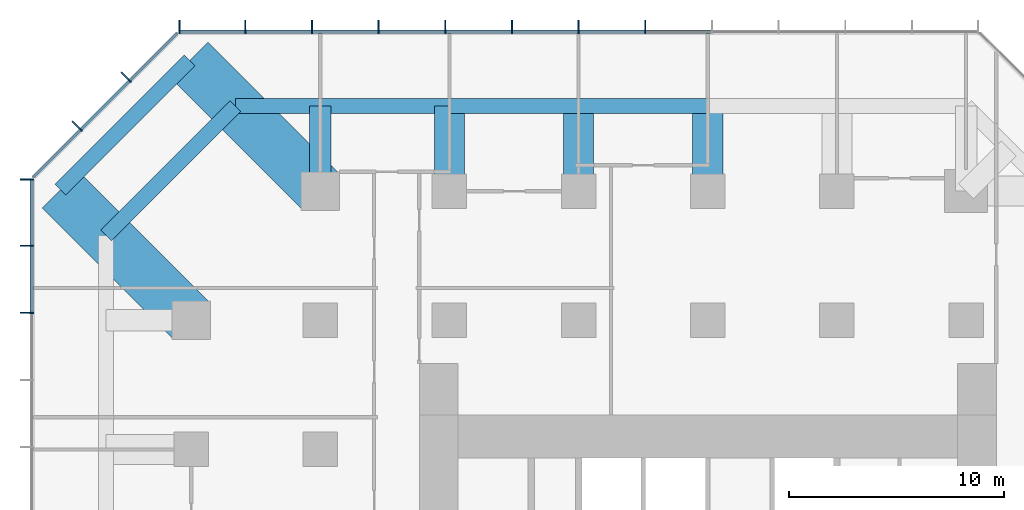
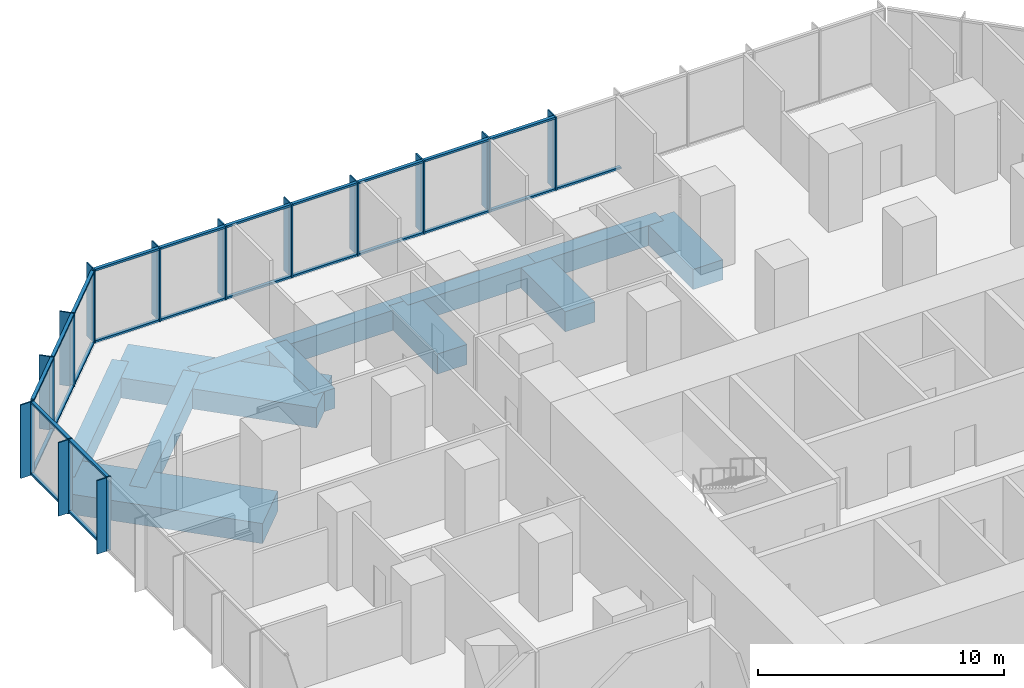
# One storey, part 5 of 11: 51 members, 11 beams, 3 elements without a shape of their own.
"""IFC4 building model written with IfcOpenShell, lengths in metres."""

from ifc_helpers import new_model, si_unit, direction, frame, origin, origin_2d, place, context, subcontext, project, spatial, rectangle, extrude, material, layer, layer_set, material_profile, profile_set, type_object, element, aggregate, save


model = new_model("IFC4")

# Units and contexts
model_context = context("Model", 3, precision=1e-05, world=origin(), true_north=direction((0.0, 1.0)))
body_context = subcontext(model_context, "Body", "Model", "MODEL_VIEW")
ifc_project = project(units=[si_unit("LENGTHUNIT", "METRE"), si_unit("AREAUNIT", "SQUARE_METRE"), si_unit("VOLUMEUNIT", "CUBIC_METRE"), si_unit("PLANEANGLEUNIT", "RADIAN"), si_unit("MASSUNIT", "GRAM", prefix="KILO")], contexts=[model_context])

# Site, building, storey
site_placement = place(None, origin())
site = spatial("IfcSite", under=ifc_project, at=site_placement, CompositionType="ELEMENT")
building_placement = place(site_placement, origin())
building = spatial("IfcBuilding", under=site, at=building_placement, Name="Highveld Stack Headquarters", CompositionType="ELEMENT")
storey_placement = place(building_placement, frame((0.0, 0.0, 113.300048828125)))
storey = spatial("IfcBuildingStorey", under=building, at=storey_placement, Name="L27", CompositionType="ELEMENT", Elevation=113.300048828125)

# Beams
ifc_material_1 = material(Name="Concrete C60/75", Category="concrete")
ifc_material_profile_1 = material_profile(ifc_material_1, rectangle(XDim=1.0, YDim=1.0, at=origin_2d()), Name="RC 1000x1000")
ifc_profile_set_1 = profile_set([ifc_material_profile_1], Name="Concrete C60/75")
beam_type_1 = type_object("IfcBeamType", Name="CANTILEVER RIB RC 1000x1000", PredefinedType="USERDEFINED", material=ifc_profile_set_1)
beam_1_placement = place(storey_placement, frame((-12.0, 24.0, -0.75), z_axis=(0.0, 1.0, 0.0), x_axis=(-1.0, 0.0, 0.0)))
element("IfcBeam", 1, at=beam_1_placement, inside=storey, type_object=beam_type_1, Name="Cantilever rib 4/J L27", ObjectType="CANTILEVER RIB", PredefinedType="USERDEFINED", context=body_context, shape_type="SweptSolid", body=[
    extrude(rectangle(XDim=1.0, YDim=1.0, at=origin_2d()), origin(), (0.0, 0.0, 1.0), 3.949951171875),
])
ifc_material_2 = material(Name="Concrete C60/75", Category="concrete")
ifc_material_profile_2 = material_profile(ifc_material_2, rectangle(XDim=1.39990234375, YDim=1.0, at=origin_2d()), Name="RC 1400x1000")
ifc_profile_set_2 = profile_set([ifc_material_profile_2], Name="Concrete C60/75")
beam_type_2 = type_object("IfcBeamType", Name="CANTILEVER RIB RC 1400x1000", PredefinedType="USERDEFINED", material=ifc_profile_set_2)
for number, where, z_axis, x_axis, name in (
    (2, (-6.0, 24.0, -0.75), (0.0, 1.0, 0.0), (-1.0, 0.0, 0.0), "Cantilever rib 5/J L27"),
    (3, (0.0, 24.0, -0.75), (0.0, 1.0, 0.0), (-1.0, 0.0, 0.0), "Cantilever rib 6/J L27"),
    (4, (6.0, 24.0, -0.75), (0.0, 1.0, 0.0), (-1.0, 0.0, 0.0), "Cantilever rib 7/J L27"),
):
    element("IfcBeam", number, at=place(storey_placement, frame(where, z_axis=z_axis, x_axis=x_axis)), inside=storey, type_object=beam_type_2, Name=name, ObjectType="CANTILEVER RIB", PredefinedType="USERDEFINED", context=body_context, shape_type="SweptSolid", body=[
        extrude(rectangle(XDim=1.39990234375, YDim=1.0, at=origin_2d()), origin(), (0.0, 0.0, 1.0), 3.949951171875),
    ])
ifc_material_3 = material(Name="Concrete C60/75", Category="concrete")
ifc_material_profile_3 = material_profile(ifc_material_3, rectangle(XDim=2.39990234375, YDim=1.0, at=origin_2d()), Name="RC 2400x1000")
ifc_profile_set_3 = profile_set([ifc_material_profile_3], Name="Concrete C60/75")
beam_type_3 = type_object("IfcBeamType", Name="CANTILEVER RIB RC 2400x1000", PredefinedType="USERDEFINED", material=ifc_profile_set_3)
for number, where, z_axis, x_axis, name in (
    (5, (-18.0, 18.0, -0.75), (-0.707106781187, 0.707106781187, 0.0), (-0.707106781187, -0.707106781187, 0.0), "Cantilever rib 3/H L27"),
    (6, (-12.0, 24.0, -0.75), (-0.707106781187, 0.707106781187, 0.0), (-0.707106781187, -0.707106781187, 0.0), "Cantilever rib 4/J L27"),
):
    element("IfcBeam", number, at=place(storey_placement, frame(where, z_axis=z_axis, x_axis=x_axis)), inside=storey, type_object=beam_type_3, Name=name, ObjectType="CANTILEVER RIB", PredefinedType="USERDEFINED", context=body_context, shape_type="SweptSolid", body=[
        extrude(rectangle(XDim=2.39990234375, YDim=1.0, at=origin_2d()), origin(), (0.0, 0.0, 1.0), 8.585693359375),
    ])

# Curtain wall, members
ifc_material_4 = material(Name="Aluminium bronze anodised", Category="aluminium")
ifc_layer_1 = layer(ifc_material_4, 0.199951171875)
ifc_layer_set_1 = layer_set([ifc_layer_1], Name="Aluminium bronze anodised")
curtain_wall_type_1 = type_object("IfcCurtainWallType", Name="CW1 TOWER UNITISED CURTAIN WALL", PredefinedType="NOTDEFINED", material=ifc_layer_set_1)
curtain_wall_1_placement = place(storey_placement, origin())
curtain_wall_1 = element("IfcCurtainWall", 7, at=curtain_wall_1_placement, inside=storey, type_object=curtain_wall_type_1, Name="Curtain wall CW1 L27 N", PredefinedType="NOTDEFINED")
ifc_material_5 = material(Name="Aluminium bronze anodised", Category="aluminium")
ifc_material_profile_4 = material_profile(ifc_material_5, rectangle(XDim=0.449951171875, YDim=0.06005859375, at=origin_2d()), Name="FIN 450x60")
ifc_profile_set_4 = profile_set([ifc_material_profile_4], Name="Aluminium bronze anodised")
member_type_1 = type_object("IfcMemberType", Name="CW1 BRONZE FIN 450x60", PredefinedType="USERDEFINED", material=ifc_profile_set_4)
member_1_placement = place(storey_placement, frame((3.0966796875, 31.72509765625, 0.0), z_axis=(0.0, 0.0, 1.0), x_axis=(0.0, -1.0, 0.0)))
member_1 = element("IfcMember", 8, at=member_1_placement, type_object=member_type_1, Name="CW1 fin L27 6", ObjectType="FIN", PredefinedType="USERDEFINED", context=body_context, shape_type="SweptSolid", body=[
    extrude(rectangle(XDim=0.449951171875, YDim=0.06005859375, at=origin_2d()), origin(), (0.0, 0.0, 1.0), 3.64990234375),
])
member_2_placement = place(storey_placement, frame((0.0, 31.72509765625, 0.0), z_axis=(0.0, 0.0, 1.0), x_axis=(0.0, -1.0, 0.0)))
member_2 = element("IfcMember", 9, at=member_2_placement, type_object=member_type_1, Name="CW1 fin L27 7", ObjectType="FIN", PredefinedType="USERDEFINED", context=body_context, shape_type="SweptSolid", body=[
    extrude(rectangle(XDim=0.449951171875, YDim=0.06005859375, at=origin_2d()), origin(), (0.0, 0.0, 1.0), 3.64990234375),
])
member_3_placement = place(storey_placement, frame((-3.0966796875, 31.72509765625, 0.0), z_axis=(0.0, 0.0, 1.0), x_axis=(0.0, -1.0, 0.0)))
member_3 = element("IfcMember", 10, at=member_3_placement, type_object=member_type_1, Name="CW1 fin L27 8", ObjectType="FIN", PredefinedType="USERDEFINED", context=body_context, shape_type="SweptSolid", body=[
    extrude(rectangle(XDim=0.449951171875, YDim=0.06005859375, at=origin_2d()), origin(), (0.0, 0.0, 1.0), 3.64990234375),
])
member_4_placement = place(storey_placement, frame((-6.193359375, 31.72509765625, 0.0), z_axis=(0.0, 0.0, 1.0), x_axis=(0.0, -1.0, 0.0)))
member_4 = element("IfcMember", 11, at=member_4_placement, type_object=member_type_1, Name="CW1 fin L27 9", ObjectType="FIN", PredefinedType="USERDEFINED", context=body_context, shape_type="SweptSolid", body=[
    extrude(rectangle(XDim=0.449951171875, YDim=0.06005859375, at=origin_2d()), origin(), (0.0, 0.0, 1.0), 3.64990234375),
])
member_5_placement = place(storey_placement, frame((-9.2900390625, 31.72509765625, 0.0), z_axis=(0.0, 0.0, 1.0), x_axis=(0.0, -1.0, 0.0)))
member_5 = element("IfcMember", 12, at=member_5_placement, type_object=member_type_1, Name="CW1 fin L27 10", ObjectType="FIN", PredefinedType="USERDEFINED", context=body_context, shape_type="SweptSolid", body=[
    extrude(rectangle(XDim=0.449951171875, YDim=0.06005859375, at=origin_2d()), origin(), (0.0, 0.0, 1.0), 3.64990234375),
])
member_6_placement = place(storey_placement, frame((-12.38671875, 31.72509765625, 0.0), z_axis=(0.0, 0.0, 1.0), x_axis=(0.0, -1.0, 0.0)))
member_6 = element("IfcMember", 13, at=member_6_placement, type_object=member_type_1, Name="CW1 fin L27 11", ObjectType="FIN", PredefinedType="USERDEFINED", context=body_context, shape_type="SweptSolid", body=[
    extrude(rectangle(XDim=0.449951171875, YDim=0.06005859375, at=origin_2d()), origin(), (0.0, 0.0, 1.0), 3.64990234375),
])
member_7_placement = place(storey_placement, frame((-15.4833984375, 31.72509765625, 0.0), z_axis=(0.0, 0.0, 1.0), x_axis=(0.0, -1.0, 0.0)))
member_7 = element("IfcMember", 14, at=member_7_placement, type_object=member_type_1, Name="CW1 fin L27 12", ObjectType="FIN", PredefinedType="USERDEFINED", context=body_context, shape_type="SweptSolid", body=[
    extrude(rectangle(XDim=0.449951171875, YDim=0.06005859375, at=origin_2d()), origin(), (0.0, 0.0, 1.0), 3.64990234375),
])
member_8_placement = place(storey_placement, frame((-18.54736328125, 31.72509765625, 0.0), z_axis=(0.0, 0.0, 1.0), x_axis=(0.0, -1.0, 0.0)))
member_8 = element("IfcMember", 15, at=member_8_placement, type_object=member_type_1, Name="CW1 fin L27 13", ObjectType="FIN", PredefinedType="USERDEFINED", context=body_context, shape_type="SweptSolid", body=[
    extrude(rectangle(XDim=0.449951171875, YDim=0.06005859375, at=origin_2d()), origin(), (0.0, 0.0, 1.0), 3.64990234375),
])

curtain_wall_2_placement = place(storey_placement, origin())
curtain_wall_2 = element("IfcCurtainWall", 16, at=curtain_wall_2_placement, inside=storey, type_object=curtain_wall_type_1, Name="Curtain wall CW1 L27 W", PredefinedType="NOTDEFINED")
member_9_placement = place(storey_placement, frame((-25.72509765625, 24.54736328125, 0.0), z_axis=(0.0, 0.0, 1.0), x_axis=(1.0, 0.0, 0.0)))
member_9 = element("IfcMember", 17, at=member_9_placement, type_object=member_type_1, Name="CW1 fin L27 1", ObjectType="FIN", PredefinedType="USERDEFINED", context=body_context, shape_type="SweptSolid", body=[
    extrude(rectangle(XDim=0.449951171875, YDim=0.06005859375, at=origin_2d()), origin(), (0.0, 0.0, 1.0), 3.64990234375),
])
member_10_placement = place(storey_placement, frame((-25.72509765625, 21.4638671875, 0.0), z_axis=(0.0, 0.0, 1.0), x_axis=(1.0, 0.0, 0.0)))
member_10 = element("IfcMember", 18, at=member_10_placement, type_object=member_type_1, Name="CW1 fin L27 2", ObjectType="FIN", PredefinedType="USERDEFINED", context=body_context, shape_type="SweptSolid", body=[
    extrude(rectangle(XDim=0.449951171875, YDim=0.06005859375, at=origin_2d()), origin(), (0.0, 0.0, 1.0), 3.64990234375),
])
member_11_placement = place(storey_placement, frame((-25.72509765625, 18.347900390625, 0.0), z_axis=(0.0, 0.0, 1.0), x_axis=(1.0, 0.0, 0.0)))
member_11 = element("IfcMember", 19, at=member_11_placement, type_object=member_type_1, Name="CW1 fin L27 3", ObjectType="FIN", PredefinedType="USERDEFINED", context=body_context, shape_type="SweptSolid", body=[
    extrude(rectangle(XDim=0.449951171875, YDim=0.06005859375, at=origin_2d()), origin(), (0.0, 0.0, 1.0), 3.64990234375),
])

# Member
ifc_material_6 = material(Name="Aluminium bronze anodised", Category="aluminium")
ifc_material_profile_5 = material_profile(ifc_material_6, rectangle(XDim=0.199951171875, YDim=0.06494140625, at=origin_2d()), Name="CW1 MULLION 65x200")
ifc_profile_set_5 = profile_set([ifc_material_profile_5], Name="Aluminium bronze anodised")
member_type_2 = type_object("IfcMemberType", Name="CW1 MULLION 65x200", PredefinedType="MULLION", material=ifc_profile_set_5)
member_12_placement = place(storey_placement, frame((3.0966796875, 31.39990234375, 0.0), z_axis=(0.0, 0.0, 1.0), x_axis=(0.0, -1.0, 0.0)))
member_12 = element("IfcMember", 20, at=member_12_placement, type_object=member_type_2, Name="CW1 mullion L27 6", PredefinedType="MULLION", context=body_context, shape_type="SweptSolid", body=[
    extrude(rectangle(XDim=0.199951171875, YDim=0.06494140625, at=origin_2d()), origin(), (0.0, 0.0, 1.0), 3.64990234375),
])

member_13_placement = place(storey_placement, frame((0.0, 31.39990234375, 0.0), z_axis=(0.0, 0.0, 1.0), x_axis=(0.0, -1.0, 0.0)))
member_13 = element("IfcMember", 21, at=member_13_placement, type_object=member_type_2, Name="CW1 mullion L27 7", PredefinedType="MULLION", context=body_context, shape_type="SweptSolid", body=[
    extrude(rectangle(XDim=0.199951171875, YDim=0.06494140625, at=origin_2d()), origin(), (0.0, 0.0, 1.0), 3.64990234375),
])

member_14_placement = place(storey_placement, frame((-3.0966796875, 31.39990234375, 0.0), z_axis=(0.0, 0.0, 1.0), x_axis=(0.0, -1.0, 0.0)))
member_14 = element("IfcMember", 22, at=member_14_placement, type_object=member_type_2, Name="CW1 mullion L27 8", PredefinedType="MULLION", context=body_context, shape_type="SweptSolid", body=[
    extrude(rectangle(XDim=0.199951171875, YDim=0.06494140625, at=origin_2d()), origin(), (0.0, 0.0, 1.0), 3.64990234375),
])

member_15_placement = place(storey_placement, frame((-6.193359375, 31.39990234375, 0.0), z_axis=(0.0, 0.0, 1.0), x_axis=(0.0, -1.0, 0.0)))
member_15 = element("IfcMember", 23, at=member_15_placement, type_object=member_type_2, Name="CW1 mullion L27 9", PredefinedType="MULLION", context=body_context, shape_type="SweptSolid", body=[
    extrude(rectangle(XDim=0.199951171875, YDim=0.06494140625, at=origin_2d()), origin(), (0.0, 0.0, 1.0), 3.64990234375),
])

member_16_placement = place(storey_placement, frame((-9.2900390625, 31.39990234375, 0.0), z_axis=(0.0, 0.0, 1.0), x_axis=(0.0, -1.0, 0.0)))
member_16 = element("IfcMember", 24, at=member_16_placement, type_object=member_type_2, Name="CW1 mullion L27 10", PredefinedType="MULLION", context=body_context, shape_type="SweptSolid", body=[
    extrude(rectangle(XDim=0.199951171875, YDim=0.06494140625, at=origin_2d()), origin(), (0.0, 0.0, 1.0), 3.64990234375),
])

member_17_placement = place(storey_placement, frame((-12.38671875, 31.39990234375, 0.0), z_axis=(0.0, 0.0, 1.0), x_axis=(0.0, -1.0, 0.0)))
member_17 = element("IfcMember", 25, at=member_17_placement, type_object=member_type_2, Name="CW1 mullion L27 11", PredefinedType="MULLION", context=body_context, shape_type="SweptSolid", body=[
    extrude(rectangle(XDim=0.199951171875, YDim=0.06494140625, at=origin_2d()), origin(), (0.0, 0.0, 1.0), 3.64990234375),
])

member_18_placement = place(storey_placement, frame((-15.4833984375, 31.39990234375, 0.0), z_axis=(0.0, 0.0, 1.0), x_axis=(0.0, -1.0, 0.0)))
member_18 = element("IfcMember", 26, at=member_18_placement, type_object=member_type_2, Name="CW1 mullion L27 12", PredefinedType="MULLION", context=body_context, shape_type="SweptSolid", body=[
    extrude(rectangle(XDim=0.199951171875, YDim=0.06494140625, at=origin_2d()), origin(), (0.0, 0.0, 1.0), 3.64990234375),
])

member_19_placement = place(storey_placement, frame((-18.54736328125, 31.39990234375, 0.0), z_axis=(0.0, 0.0, 1.0), x_axis=(0.0, -1.0, 0.0)))
member_19 = element("IfcMember", 27, at=member_19_placement, type_object=member_type_2, Name="CW1 mullion L27 13", PredefinedType="MULLION", context=body_context, shape_type="SweptSolid", body=[
    extrude(rectangle(XDim=0.199951171875, YDim=0.06494140625, at=origin_2d()), origin(), (0.0, 0.0, 1.0), 3.64990234375),
])

member_20_placement = place(storey_placement, frame((-25.39990234375, 24.54736328125, 0.0), z_axis=(0.0, 0.0, 1.0), x_axis=(1.0, 0.0, 0.0)))
member_20 = element("IfcMember", 28, at=member_20_placement, type_object=member_type_2, Name="CW1 mullion L27 1", PredefinedType="MULLION", context=body_context, shape_type="SweptSolid", body=[
    extrude(rectangle(XDim=0.199951171875, YDim=0.06494140625, at=origin_2d()), origin(), (0.0, 0.0, 1.0), 3.64990234375),
])

member_21_placement = place(storey_placement, frame((-25.39990234375, 21.4638671875, 0.0), z_axis=(0.0, 0.0, 1.0), x_axis=(1.0, 0.0, 0.0)))
member_21 = element("IfcMember", 29, at=member_21_placement, type_object=member_type_2, Name="CW1 mullion L27 2", PredefinedType="MULLION", context=body_context, shape_type="SweptSolid", body=[
    extrude(rectangle(XDim=0.199951171875, YDim=0.06494140625, at=origin_2d()), origin(), (0.0, 0.0, 1.0), 3.64990234375),
])

member_22_placement = place(storey_placement, frame((-25.39990234375, 18.347900390625, 0.0), z_axis=(0.0, 0.0, 1.0), x_axis=(1.0, 0.0, 0.0)))
member_22 = element("IfcMember", 30, at=member_22_placement, type_object=member_type_2, Name="CW1 mullion L27 3", PredefinedType="MULLION", context=body_context, shape_type="SweptSolid", body=[
    extrude(rectangle(XDim=0.199951171875, YDim=0.06494140625, at=origin_2d()), origin(), (0.0, 0.0, 1.0), 3.64990234375),
])

ifc_material_7 = material(Name="Aluminium bronze anodised", Category="aluminium")
ifc_material_profile_6 = material_profile(ifc_material_7, rectangle(XDim=0.14990234375, YDim=0.10009765625, at=origin_2d()), Name="CW1 TRANSOM 150x100")
ifc_profile_set_6 = profile_set([ifc_material_profile_6], Name="Aluminium bronze anodised")
member_type_3 = type_object("IfcMemberType", Name="CW1 STACK TRANSOM 150x100", PredefinedType="USERDEFINED", material=ifc_profile_set_6)
member_23_placement = place(storey_placement, frame((6.160888671875, 31.39990234375, 0.050048828125), z_axis=(-1.0, 0.0, 0.0), x_axis=(0.0, -1.0, 0.0)))
member_23 = element("IfcMember", 31, at=member_23_placement, type_object=member_type_3, Name="CW1 transom L27 5.1", ObjectType="TRANSOM", PredefinedType="USERDEFINED", context=body_context, shape_type="SweptSolid", body=[
    extrude(rectangle(XDim=0.14990234375, YDim=0.10009765625, at=origin_2d()), origin(), (0.0, 0.0, 1.0), 3.03173828125),
])

member_24_placement = place(storey_placement, frame((3.064208984375, 31.39990234375, 0.050048828125), z_axis=(-1.0, 0.0, 0.0), x_axis=(0.0, -1.0, 0.0)))
member_24 = element("IfcMember", 32, at=member_24_placement, type_object=member_type_3, Name="CW1 transom L27 6.1", ObjectType="TRANSOM", PredefinedType="USERDEFINED", context=body_context, shape_type="SweptSolid", body=[
    extrude(rectangle(XDim=0.14990234375, YDim=0.10009765625, at=origin_2d()), origin(), (0.0, 0.0, 1.0), 3.03173828125),
])

member_25_placement = place(storey_placement, frame((3.064208984375, 31.39990234375, 3.599853515625), z_axis=(-1.0, 0.0, 0.0), x_axis=(0.0, -1.0, 0.0)))
member_25 = element("IfcMember", 33, at=member_25_placement, type_object=member_type_3, Name="CW1 transom L27 6.2", ObjectType="TRANSOM", PredefinedType="USERDEFINED", context=body_context, shape_type="SweptSolid", body=[
    extrude(rectangle(XDim=0.14990234375, YDim=0.10009765625, at=origin_2d()), origin(), (0.0, 0.0, 1.0), 3.03173828125),
])

member_26_placement = place(storey_placement, frame((-0.032470703125, 31.39990234375, 0.050048828125), z_axis=(-1.0, 0.0, 0.0), x_axis=(0.0, -1.0, 0.0)))
member_26 = element("IfcMember", 34, at=member_26_placement, type_object=member_type_3, Name="CW1 transom L27 7.1", ObjectType="TRANSOM", PredefinedType="USERDEFINED", context=body_context, shape_type="SweptSolid", body=[
    extrude(rectangle(XDim=0.14990234375, YDim=0.10009765625, at=origin_2d()), origin(), (0.0, 0.0, 1.0), 3.03173828125),
])

member_27_placement = place(storey_placement, frame((-0.032470703125, 31.39990234375, 3.599853515625), z_axis=(-1.0, 0.0, 0.0), x_axis=(0.0, -1.0, 0.0)))
member_27 = element("IfcMember", 35, at=member_27_placement, type_object=member_type_3, Name="CW1 transom L27 7.2", ObjectType="TRANSOM", PredefinedType="USERDEFINED", context=body_context, shape_type="SweptSolid", body=[
    extrude(rectangle(XDim=0.14990234375, YDim=0.10009765625, at=origin_2d()), origin(), (0.0, 0.0, 1.0), 3.03173828125),
])

member_28_placement = place(storey_placement, frame((-3.129150390625, 31.39990234375, 0.050048828125), z_axis=(-1.0, 0.0, 0.0), x_axis=(0.0, -1.0, 0.0)))
member_28 = element("IfcMember", 36, at=member_28_placement, type_object=member_type_3, Name="CW1 transom L27 8.1", ObjectType="TRANSOM", PredefinedType="USERDEFINED", context=body_context, shape_type="SweptSolid", body=[
    extrude(rectangle(XDim=0.14990234375, YDim=0.10009765625, at=origin_2d()), origin(), (0.0, 0.0, 1.0), 3.03173828125),
])

member_29_placement = place(storey_placement, frame((-3.129150390625, 31.39990234375, 3.599853515625), z_axis=(-1.0, 0.0, 0.0), x_axis=(0.0, -1.0, 0.0)))
member_29 = element("IfcMember", 37, at=member_29_placement, type_object=member_type_3, Name="CW1 transom L27 8.2", ObjectType="TRANSOM", PredefinedType="USERDEFINED", context=body_context, shape_type="SweptSolid", body=[
    extrude(rectangle(XDim=0.14990234375, YDim=0.10009765625, at=origin_2d()), origin(), (0.0, 0.0, 1.0), 3.03173828125),
])

member_30_placement = place(storey_placement, frame((-6.225830078125, 31.39990234375, 0.050048828125), z_axis=(-1.0, 0.0, 0.0), x_axis=(0.0, -1.0, 0.0)))
member_30 = element("IfcMember", 38, at=member_30_placement, type_object=member_type_3, Name="CW1 transom L27 9.1", ObjectType="TRANSOM", PredefinedType="USERDEFINED", context=body_context, shape_type="SweptSolid", body=[
    extrude(rectangle(XDim=0.14990234375, YDim=0.10009765625, at=origin_2d()), origin(), (0.0, 0.0, 1.0), 3.03173828125),
])

member_31_placement = place(storey_placement, frame((-6.225830078125, 31.39990234375, 3.599853515625), z_axis=(-1.0, 0.0, 0.0), x_axis=(0.0, -1.0, 0.0)))
member_31 = element("IfcMember", 39, at=member_31_placement, type_object=member_type_3, Name="CW1 transom L27 9.2", ObjectType="TRANSOM", PredefinedType="USERDEFINED", context=body_context, shape_type="SweptSolid", body=[
    extrude(rectangle(XDim=0.14990234375, YDim=0.10009765625, at=origin_2d()), origin(), (0.0, 0.0, 1.0), 3.03173828125),
])

member_32_placement = place(storey_placement, frame((-9.322509765625, 31.39990234375, 0.050048828125), z_axis=(-1.0, 0.0, 0.0), x_axis=(0.0, -1.0, 0.0)))
member_32 = element("IfcMember", 40, at=member_32_placement, type_object=member_type_3, Name="CW1 transom L27 10.1", ObjectType="TRANSOM", PredefinedType="USERDEFINED", context=body_context, shape_type="SweptSolid", body=[
    extrude(rectangle(XDim=0.14990234375, YDim=0.10009765625, at=origin_2d()), origin(), (0.0, 0.0, 1.0), 3.031494140625),
])

member_33_placement = place(storey_placement, frame((-9.322509765625, 31.39990234375, 3.599853515625), z_axis=(-1.0, 0.0, 0.0), x_axis=(0.0, -1.0, 0.0)))
member_33 = element("IfcMember", 41, at=member_33_placement, type_object=member_type_3, Name="CW1 transom L27 10.2", ObjectType="TRANSOM", PredefinedType="USERDEFINED", context=body_context, shape_type="SweptSolid", body=[
    extrude(rectangle(XDim=0.14990234375, YDim=0.10009765625, at=origin_2d()), origin(), (0.0, 0.0, 1.0), 3.031494140625),
])

member_34_placement = place(storey_placement, frame((-12.419189453125, 31.39990234375, 0.050048828125), z_axis=(-1.0, 0.0, 0.0), x_axis=(0.0, -1.0, 0.0)))
member_34 = element("IfcMember", 42, at=member_34_placement, type_object=member_type_3, Name="CW1 transom L27 11.1", ObjectType="TRANSOM", PredefinedType="USERDEFINED", context=body_context, shape_type="SweptSolid", body=[
    extrude(rectangle(XDim=0.14990234375, YDim=0.10009765625, at=origin_2d()), origin(), (0.0, 0.0, 1.0), 3.031494140625),
])

member_35_placement = place(storey_placement, frame((-12.419189453125, 31.39990234375, 3.599853515625), z_axis=(-1.0, 0.0, 0.0), x_axis=(0.0, -1.0, 0.0)))
member_35 = element("IfcMember", 43, at=member_35_placement, type_object=member_type_3, Name="CW1 transom L27 11.2", ObjectType="TRANSOM", PredefinedType="USERDEFINED", context=body_context, shape_type="SweptSolid", body=[
    extrude(rectangle(XDim=0.14990234375, YDim=0.10009765625, at=origin_2d()), origin(), (0.0, 0.0, 1.0), 3.031494140625),
])

member_36_placement = place(storey_placement, frame((-15.515869140625, 31.39990234375, 0.050048828125), z_axis=(-1.0, 0.0, 0.0), x_axis=(0.0, -1.0, 0.0)))
member_36 = element("IfcMember", 44, at=member_36_placement, type_object=member_type_3, Name="CW1 transom L27 12.1", ObjectType="TRANSOM", PredefinedType="USERDEFINED", context=body_context, shape_type="SweptSolid", body=[
    extrude(rectangle(XDim=0.14990234375, YDim=0.10009765625, at=origin_2d()), origin(), (0.0, 0.0, 1.0), 2.9990234375),
])

member_37_placement = place(storey_placement, frame((-15.515869140625, 31.39990234375, 3.599853515625), z_axis=(-1.0, 0.0, 0.0), x_axis=(0.0, -1.0, 0.0)))
member_37 = element("IfcMember", 45, at=member_37_placement, type_object=member_type_3, Name="CW1 transom L27 12.2", ObjectType="TRANSOM", PredefinedType="USERDEFINED", context=body_context, shape_type="SweptSolid", body=[
    extrude(rectangle(XDim=0.14990234375, YDim=0.10009765625, at=origin_2d()), origin(), (0.0, 0.0, 1.0), 2.9990234375),
])

aggregate(curtain_wall_1, [member_12, member_1, member_13, member_2, member_14, member_3, member_15, member_4, member_16, member_5, member_17, member_6, member_18, member_7, member_19, member_8, member_23, member_24, member_25, member_26, member_27, member_28, member_29, member_30, member_31, member_32, member_33, member_34, member_35, member_36, member_37])

member_38_placement = place(storey_placement, frame((-25.39990234375, 24.514892578125, 0.050048828125), z_axis=(0.0, -1.0, 0.0), x_axis=(1.0, 0.0, 0.0)))
member_38 = element("IfcMember", 46, at=member_38_placement, type_object=member_type_3, Name="CW1 transom L27 1.1", ObjectType="TRANSOM", PredefinedType="USERDEFINED", context=body_context, shape_type="SweptSolid", body=[
    extrude(rectangle(XDim=0.14990234375, YDim=0.10009765625, at=origin_2d()), origin(), (0.0, 0.0, 1.0), 3.0185546875),
])

member_39_placement = place(storey_placement, frame((-25.39990234375, 24.514892578125, 3.599853515625), z_axis=(0.0, -1.0, 0.0), x_axis=(1.0, 0.0, 0.0)))
member_39 = element("IfcMember", 47, at=member_39_placement, type_object=member_type_3, Name="CW1 transom L27 1.2", ObjectType="TRANSOM", PredefinedType="USERDEFINED", context=body_context, shape_type="SweptSolid", body=[
    extrude(rectangle(XDim=0.14990234375, YDim=0.10009765625, at=origin_2d()), origin(), (0.0, 0.0, 1.0), 3.0185546875),
])

member_40_placement = place(storey_placement, frame((-25.39990234375, 21.431396484375, 0.050048828125), z_axis=(0.0, -1.0, 0.0), x_axis=(1.0, 0.0, 0.0)))
member_40 = element("IfcMember", 48, at=member_40_placement, type_object=member_type_3, Name="CW1 transom L27 2.1", ObjectType="TRANSOM", PredefinedType="USERDEFINED", context=body_context, shape_type="SweptSolid", body=[
    extrude(rectangle(XDim=0.14990234375, YDim=0.10009765625, at=origin_2d()), origin(), (0.0, 0.0, 1.0), 3.051025390625),
])

member_41_placement = place(storey_placement, frame((-25.39990234375, 21.431396484375, 3.599853515625), z_axis=(0.0, -1.0, 0.0), x_axis=(1.0, 0.0, 0.0)))
member_41 = element("IfcMember", 49, at=member_41_placement, type_object=member_type_3, Name="CW1 transom L27 2.2", ObjectType="TRANSOM", PredefinedType="USERDEFINED", context=body_context, shape_type="SweptSolid", body=[
    extrude(rectangle(XDim=0.14990234375, YDim=0.10009765625, at=origin_2d()), origin(), (0.0, 0.0, 1.0), 3.051025390625),
])

aggregate(curtain_wall_2, [member_20, member_9, member_21, member_10, member_22, member_11, member_38, member_39, member_40, member_41])

# Curtain wall, members
ifc_material_8 = material(Name="Aluminium bronze anodised", Category="aluminium")
ifc_layer_2 = layer(ifc_material_8, 0.199951171875)
ifc_layer_set_2 = layer_set([ifc_layer_2], Name="Aluminium bronze anodised")
curtain_wall_type_2 = type_object("IfcCurtainWallType", Name="CW2 TOWER CHAMFER UNITISED CURTAIN WALL", PredefinedType="NOTDEFINED", material=ifc_layer_set_2)
curtain_wall_3_placement = place(storey_placement, origin())
curtain_wall_3 = element("IfcCurtainWall", 50, at=curtain_wall_3_placement, inside=storey, type_object=curtain_wall_type_2, Name="Curtain wall CW2 L27 NW", PredefinedType="NOTDEFINED")
ifc_material_9 = material(Name="Aluminium bronze anodised", Category="aluminium")
ifc_material_profile_7 = material_profile(ifc_material_9, rectangle(XDim=0.449951171875, YDim=0.06005859375, at=origin_2d()), Name="FIN 450x60")
ifc_profile_set_7 = profile_set([ifc_material_profile_7], Name="Aluminium bronze anodised")
member_type_4 = type_object("IfcMemberType", Name="CW2 BRONZE FIN 450x60", PredefinedType="USERDEFINED", material=ifc_profile_set_7)
member_42_placement = place(storey_placement, frame((-21.0830078125, 29.3564453125, 0.0), z_axis=(0.0, 0.0, 1.0), x_axis=(0.707106781187, -0.707106781187, 0.0)))
member_42 = element("IfcMember", 51, at=member_42_placement, type_object=member_type_4, Name="CW2 fin L27 1", ObjectType="FIN", PredefinedType="USERDEFINED", context=body_context, shape_type="SweptSolid", body=[
    extrude(rectangle(XDim=0.449951171875, YDim=0.06005859375, at=origin_2d()), origin(), (0.0, 0.0, 1.0), 3.64990234375),
])
member_43_placement = place(storey_placement, frame((-23.3564453125, 27.0830078125, 0.0), z_axis=(0.0, 0.0, 1.0), x_axis=(0.707106781187, -0.707106781187, 0.0)))
member_43 = element("IfcMember", 52, at=member_43_placement, type_object=member_type_4, Name="CW2 fin L27 2", ObjectType="FIN", PredefinedType="USERDEFINED", context=body_context, shape_type="SweptSolid", body=[
    extrude(rectangle(XDim=0.449951171875, YDim=0.06005859375, at=origin_2d()), origin(), (0.0, 0.0, 1.0), 3.64990234375),
])
ifc_material_10 = material(Name="Aluminium bronze anodised", Category="aluminium")
ifc_material_profile_8 = material_profile(ifc_material_10, rectangle(XDim=0.199951171875, YDim=0.06494140625, at=origin_2d()), Name="CW2 MULLION 65x200")
ifc_profile_set_8 = profile_set([ifc_material_profile_8], Name="Aluminium bronze anodised")
member_type_5 = type_object("IfcMemberType", Name="CW2 MULLION 65x200", PredefinedType="MULLION", material=ifc_profile_set_8)
member_44_placement = place(storey_placement, frame((-20.853271484375, 29.126708984375, 0.0), z_axis=(0.0, 0.0, 1.0), x_axis=(0.707106781187, -0.707106781187, 0.0)))
member_44 = element("IfcMember", 53, at=member_44_placement, type_object=member_type_5, Name="CW2 mullion L27 1", PredefinedType="MULLION", context=body_context, shape_type="SweptSolid", body=[
    extrude(rectangle(XDim=0.199951171875, YDim=0.06494140625, at=origin_2d()), origin(), (0.0, 0.0, 1.0), 3.64990234375),
])
member_45_placement = place(storey_placement, frame((-23.126708984375, 26.853271484375, 0.0), z_axis=(0.0, 0.0, 1.0), x_axis=(0.707106781187, -0.707106781187, 0.0)))
member_45 = element("IfcMember", 54, at=member_45_placement, type_object=member_type_5, Name="CW2 mullion L27 2", PredefinedType="MULLION", context=body_context, shape_type="SweptSolid", body=[
    extrude(rectangle(XDim=0.199951171875, YDim=0.06494140625, at=origin_2d()), origin(), (0.0, 0.0, 1.0), 3.64990234375),
])
ifc_material_11 = material(Name="Aluminium bronze anodised", Category="aluminium")
ifc_material_profile_9 = material_profile(ifc_material_11, rectangle(XDim=0.14990234375, YDim=0.10009765625, at=origin_2d()), Name="CW2 TRANSOM 150x100")
ifc_profile_set_9 = profile_set([ifc_material_profile_9], Name="Aluminium bronze anodised")
member_type_6 = type_object("IfcMemberType", Name="CW2 STACK TRANSOM 150x100", PredefinedType="USERDEFINED", material=ifc_profile_set_9)
member_46_placement = place(storey_placement, frame((-18.650634765625, 31.329345703125, 0.050048828125), z_axis=(-0.707106781187, -0.707106781187, 0.0), x_axis=(0.707106781187, -0.707106781187, 0.0)))
member_46 = element("IfcMember", 55, at=member_46_placement, type_object=member_type_6, Name="CW2 transom L27 1.1", ObjectType="TRANSOM", PredefinedType="USERDEFINED", context=body_context, shape_type="SweptSolid", body=[
    extrude(rectangle(XDim=0.14990234375, YDim=0.10009765625, at=origin_2d()), origin(), (0.0, 0.0, 1.0), 3.08251953125),
])
member_47_placement = place(storey_placement, frame((-18.650634765625, 31.329345703125, 3.599853515625), z_axis=(-0.707106781187, -0.707106781187, 0.0), x_axis=(0.707106781187, -0.707106781187, 0.0)))
member_47 = element("IfcMember", 56, at=member_47_placement, type_object=member_type_6, Name="CW2 transom L27 1.2", ObjectType="TRANSOM", PredefinedType="USERDEFINED", context=body_context, shape_type="SweptSolid", body=[
    extrude(rectangle(XDim=0.14990234375, YDim=0.10009765625, at=origin_2d()), origin(), (0.0, 0.0, 1.0), 3.08251953125),
])
member_48_placement = place(storey_placement, frame((-20.876220703125, 29.103759765625, 0.050048828125), z_axis=(-0.707106781187, -0.707106781187, 0.0), x_axis=(0.707106781187, -0.707106781187, 0.0)))
member_48 = element("IfcMember", 57, at=member_48_placement, type_object=member_type_6, Name="CW2 transom L27 2.1", ObjectType="TRANSOM", PredefinedType="USERDEFINED", context=body_context, shape_type="SweptSolid", body=[
    extrude(rectangle(XDim=0.14990234375, YDim=0.10009765625, at=origin_2d()), origin(), (0.0, 0.0, 1.0), 3.150146484375),
])
member_49_placement = place(storey_placement, frame((-20.876220703125, 29.103759765625, 3.599853515625), z_axis=(-0.707106781187, -0.707106781187, 0.0), x_axis=(0.707106781187, -0.707106781187, 0.0)))
member_49 = element("IfcMember", 58, at=member_49_placement, type_object=member_type_6, Name="CW2 transom L27 2.2", ObjectType="TRANSOM", PredefinedType="USERDEFINED", context=body_context, shape_type="SweptSolid", body=[
    extrude(rectangle(XDim=0.14990234375, YDim=0.10009765625, at=origin_2d()), origin(), (0.0, 0.0, 1.0), 3.150146484375),
])
member_50_placement = place(storey_placement, frame((-23.149658203125, 26.830322265625, 0.050048828125), z_axis=(-0.707106781187, -0.707106781187, 0.0), x_axis=(0.707106781187, -0.707106781187, 0.0)))
member_50 = element("IfcMember", 59, at=member_50_placement, type_object=member_type_6, Name="CW2 transom L27 3.1", ObjectType="TRANSOM", PredefinedType="USERDEFINED", context=body_context, shape_type="SweptSolid", body=[
    extrude(rectangle(XDim=0.14990234375, YDim=0.10009765625, at=origin_2d()), origin(), (0.0, 0.0, 1.0), 3.08251953125),
])
member_51_placement = place(storey_placement, frame((-23.149658203125, 26.830322265625, 3.599853515625), z_axis=(-0.707106781187, -0.707106781187, 0.0), x_axis=(0.707106781187, -0.707106781187, 0.0)))
member_51 = element("IfcMember", 60, at=member_51_placement, type_object=member_type_6, Name="CW2 transom L27 3.2", ObjectType="TRANSOM", PredefinedType="USERDEFINED", context=body_context, shape_type="SweptSolid", body=[
    extrude(rectangle(XDim=0.14990234375, YDim=0.10009765625, at=origin_2d()), origin(), (0.0, 0.0, 1.0), 3.08251953125),
])
aggregate(curtain_wall_3, [member_44, member_42, member_45, member_43, member_46, member_47, member_48, member_49, member_50, member_51])

# Beams
ifc_material_12 = material(Name="Concrete C60/75", Category="concrete")
ifc_material_profile_10 = material_profile(ifc_material_12, rectangle(XDim=0.699951171875, YDim=1.0, at=origin_2d()), Name="RC 700x1000")
ifc_profile_set_10 = profile_set([ifc_material_profile_10], Name="Concrete C60/75")
beam_type_4 = type_object("IfcBeamType", Name="RIB TIP BEAM RC 700x1000", PredefinedType="SPANDREL", material=ifc_profile_set_10)
beam_2_placement = place(storey_placement, frame((-15.949951171875, 27.949951171875, -0.75), z_axis=(1.0, 0.0, 0.0), x_axis=(0.0, 1.0, 0.0)))
element("IfcBeam", 61, at=beam_2_placement, inside=storey, type_object=beam_type_4, Name="Rib tip beam 4/J to 5/J L27", PredefinedType="SPANDREL", context=body_context, shape_type="SweptSolid", body=[
    extrude(rectangle(XDim=0.699951171875, YDim=1.0, at=origin_2d()), origin(), (0.0, 0.0, 1.0), 9.949951171875),
])
for number, where, z_axis, x_axis, name in (
    (62, (-6.0, 27.949951171875, -0.75), (1.0, 0.0, 0.0), (0.0, 1.0, 0.0), "Rib tip beam 5/J to 6/J L27"),
    (63, (0.0, 27.949951171875, -0.75), (1.0, 0.0, 0.0), (0.0, 1.0, 0.0), "Rib tip beam 6/J to 7/J L27"),
):
    element("IfcBeam", number, at=place(storey_placement, frame(where, z_axis=z_axis, x_axis=x_axis)), inside=storey, type_object=beam_type_4, Name=name, PredefinedType="SPANDREL", context=body_context, shape_type="SweptSolid", body=[
        extrude(rectangle(XDim=0.699951171875, YDim=1.0, at=origin_2d()), origin(), (0.0, 0.0, 1.0), 6.0),
    ])
for number, where, z_axis, x_axis, name in (
    (64, (-21.949951171875, 21.949951171875, -0.75), (0.707106781187, 0.707106781187, 0.0), (-0.707106781187, 0.707106781187, 0.0), "Rib tip beam 3/H to 4/J chamfer L27"),
    (65, (-24.071044921875, 24.071044921875, -0.75), (0.707106781187, 0.707106781187, 0.0), (-0.707106781187, 0.707106781187, 0.0), "Rib tip beam 3/H to 4/J chamfer edge L27"),
):
    element("IfcBeam", number, at=place(storey_placement, frame(where, z_axis=z_axis, x_axis=x_axis)), inside=storey, type_object=beam_type_4, Name=name, PredefinedType="SPANDREL", context=body_context, shape_type="SweptSolid", body=[
        extrude(rectangle(XDim=0.699951171875, YDim=1.0, at=origin_2d()), origin(), (0.0, 0.0, 1.0), 8.4853515625),
    ])

save(model, "model.ifc")
